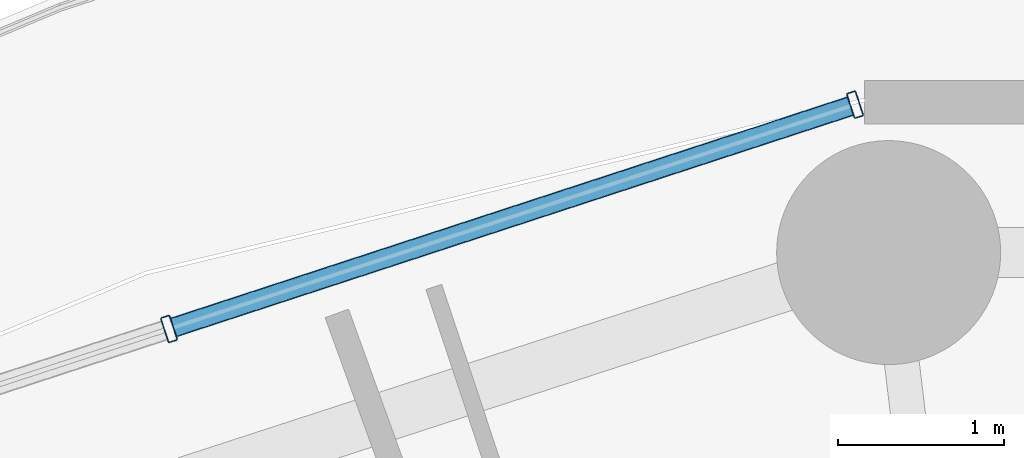
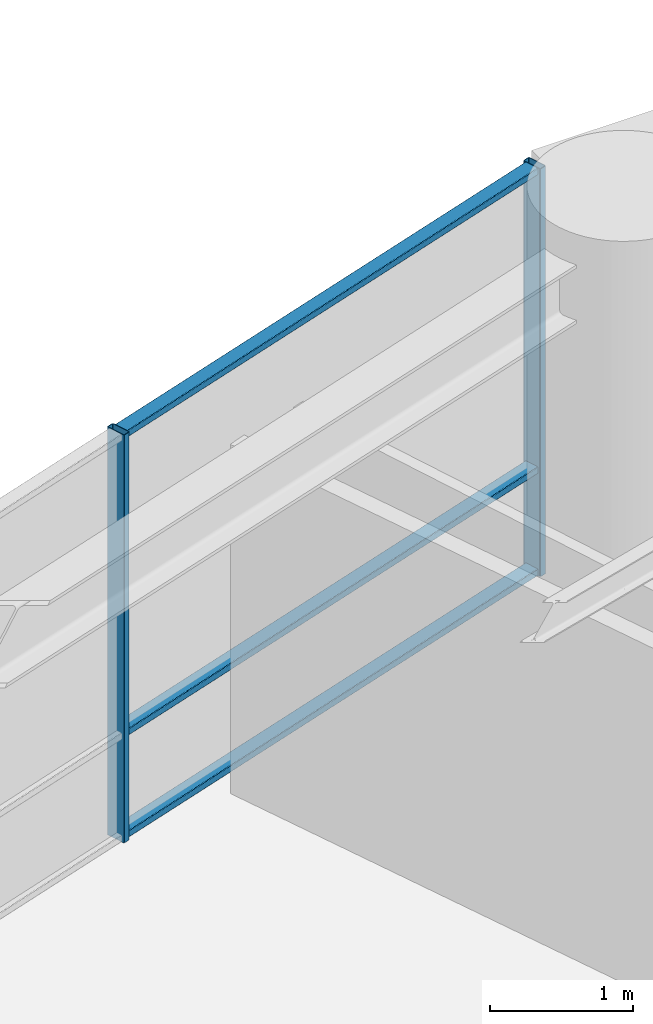
# One storey, part 19 of 33: 5 members, 1 element without a shape of its own.
"""IFC4 building model written with IfcOpenShell, lengths in metres."""

from ifc_helpers import new_model, si_unit, direction, frame, origin, origin_2d, place, context, subcontext, project, spatial, hollow_rectangle, extrude, material, layer, layer_set, material_profile, profile_set, type_object, element, aggregate, save


model = new_model("IFC4")

# Units and contexts
model_context = context("Model", 3, precision=1e-05, world=origin(), true_north=direction((0.0, 1.0)))
body_context = subcontext(model_context, "Body", "Model", "MODEL_VIEW")
ifc_project = project(units=[si_unit("LENGTHUNIT", "METRE"), si_unit("AREAUNIT", "SQUARE_METRE"), si_unit("VOLUMEUNIT", "CUBIC_METRE"), si_unit("PLANEANGLEUNIT", "RADIAN"), si_unit("MASSUNIT", "GRAM", prefix="KILO")], contexts=[model_context])

# Site, building, storey
site_placement = place(None, origin())
site = spatial("IfcSite", under=ifc_project, at=site_placement, CompositionType="ELEMENT")
building_placement = place(site_placement, origin())
building = spatial("IfcBuilding", under=site, at=building_placement, Name="Kelanora Arch Commons", CompositionType="ELEMENT")
storey_placement = place(building_placement, frame((0.0, 0.0, 83.85009765625)))
storey = spatial("IfcBuildingStorey", under=building, at=storey_placement, Name="L21", CompositionType="ELEMENT", Elevation=83.85009765625)

# Curtain wall, members
ifc_material_1 = material(Name="Terracotta ceramic-fritted low-E glass and aluminium", Category="masonry")
ifc_layer = layer(ifc_material_1, 0.159912109375)
ifc_layer_set = layer_set([ifc_layer], Name="Terracotta ceramic-fritted low-E glass and aluminium")
curtain_wall_type = type_object("IfcCurtainWallType", Name="CW-SYS-01", PredefinedType="NOTDEFINED", material=ifc_layer_set)
curtain_wall_placement = place(storey_placement, origin())
curtain_wall = element("IfcCurtainWall", 1, at=curtain_wall_placement, inside=storey, type_object=curtain_wall_type, Name="Unitised Curtain Wall L21-B05", PredefinedType="NOTDEFINED")
ifc_material_2 = material(Name="Powder-coated aluminium terracotta", Category="masonry")
ifc_material_profile_1 = material_profile(ifc_material_2, hollow_rectangle(XDim=0.159912109375, YDim=0.06005859375, WallThickness=0.0048828125, InnerFilletRadius=0.0048828125, OuterFilletRadius=0.010009765625, at=origin_2d()), Name="CWM160x60")
ifc_profile_set_1 = profile_set([ifc_material_profile_1], Name="Powder-coated aluminium terracotta")
member_type_1 = type_object("IfcMemberType", Name="CWM-STD", PredefinedType="MULLION", material=ifc_profile_set_1)
member_1_placement = place(storey_placement, frame((69.51171875, 80.636474609375, 0.0), z_axis=(0.0, 0.0, 1.0), x_axis=(0.31080470294, -0.950473795867, 0.0)))
member_1 = element("IfcMember", 2, at=member_1_placement, type_object=member_type_1, Name="CW-01 mullion 1", PredefinedType="MULLION", context=body_context, shape_type="SweptSolid", body=[
    extrude(hollow_rectangle(XDim=0.159912109375, YDim=0.06005859375, WallThickness=0.0048828125, InnerFilletRadius=0.0048828125, OuterFilletRadius=0.010009765625, at=origin_2d()), origin(), (0.0, 0.0, 1.0), 3.474853515625),
])
member_2_placement = place(storey_placement, frame((65.377197265625, 79.28466796875, 0.0), z_axis=(0.0, 0.0, 1.0), x_axis=(0.31080470294, -0.950473795867, 0.0)))
member_2 = element("IfcMember", 3, at=member_2_placement, type_object=member_type_1, Name="CW-01 mullion 2", PredefinedType="MULLION", context=body_context, shape_type="SweptSolid", body=[
    extrude(hollow_rectangle(XDim=0.159912109375, YDim=0.06005859375, WallThickness=0.0048828125, InnerFilletRadius=0.0048828125, OuterFilletRadius=0.010009765625, at=origin_2d()), origin(), (0.0, 0.0, 1.0), 3.474853515625),
])
ifc_material_profile_2 = material_profile(ifc_material_2, hollow_rectangle(XDim=0.1201171875, YDim=0.06005859375, WallThickness=0.0048828125, InnerFilletRadius=0.0048828125, OuterFilletRadius=0.010009765625, at=origin_2d()), Name="CWT120x60")
ifc_profile_set_2 = profile_set([ifc_material_profile_2], Name="Powder-coated aluminium terracotta")
member_type_2 = type_object("IfcMemberType", Name="CWT-STD", PredefinedType="USERDEFINED", material=ifc_profile_set_2)
member_3_placement = place(storey_placement, frame((69.483154296875, 80.627197265625, 0.02978515625), z_axis=(-0.950477544745, -0.31079323824, 0.0), x_axis=(0.31079323824, -0.950477544745, 0.0)))
member_3 = element("IfcMember", 4, at=member_3_placement, type_object=member_type_2, Name="CW-01 transom 1.1", ObjectType="TRANSOM", PredefinedType="USERDEFINED", context=body_context, shape_type="SweptSolid", body=[
    extrude(hollow_rectangle(XDim=0.1201171875, YDim=0.06005859375, WallThickness=0.0048828125, InnerFilletRadius=0.0048828125, OuterFilletRadius=0.010009765625, at=origin_2d()), origin(), (0.0, 0.0, 1.0), 4.289794921875),
])
member_4_placement = place(storey_placement, frame((69.483154296875, 80.627197265625, 0.89990234375), z_axis=(-0.950477544745, -0.31079323824, 0.0), x_axis=(0.31079323824, -0.950477544745, 0.0)))
member_4 = element("IfcMember", 5, at=member_4_placement, type_object=member_type_2, Name="CW-01 transom 1.2", ObjectType="TRANSOM", PredefinedType="USERDEFINED", context=body_context, shape_type="SweptSolid", body=[
    extrude(hollow_rectangle(XDim=0.1201171875, YDim=0.06005859375, WallThickness=0.0048828125, InnerFilletRadius=0.0048828125, OuterFilletRadius=0.010009765625, at=origin_2d()), origin(), (0.0, 0.0, 1.0), 4.289794921875),
])
member_5_placement = place(storey_placement, frame((69.483154296875, 80.627197265625, 3.44482421875), z_axis=(-0.950477544745, -0.31079323824, 0.0), x_axis=(0.31079323824, -0.950477544745, 0.0)))
member_5 = element("IfcMember", 6, at=member_5_placement, type_object=member_type_2, Name="CW-01 transom 1.3", ObjectType="TRANSOM", PredefinedType="USERDEFINED", context=body_context, shape_type="SweptSolid", body=[
    extrude(hollow_rectangle(XDim=0.1201171875, YDim=0.06005859375, WallThickness=0.0048828125, InnerFilletRadius=0.0048828125, OuterFilletRadius=0.010009765625, at=origin_2d()), origin(), (0.0, 0.0, 1.0), 4.289794921875),
])
aggregate(curtain_wall, [member_1, member_2, member_3, member_4, member_5])

save(model, "model.ifc")
